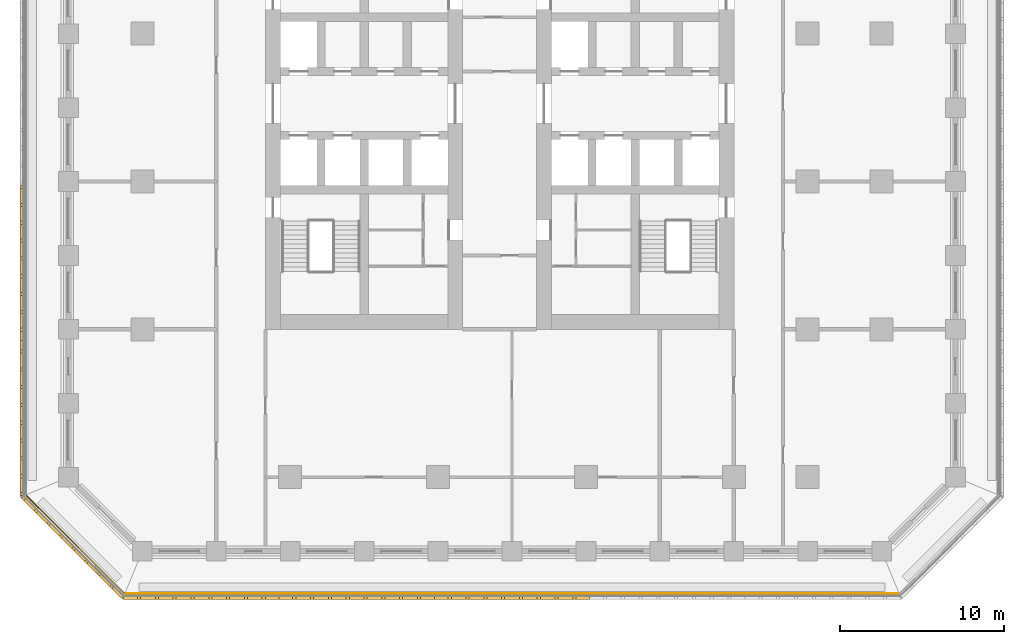
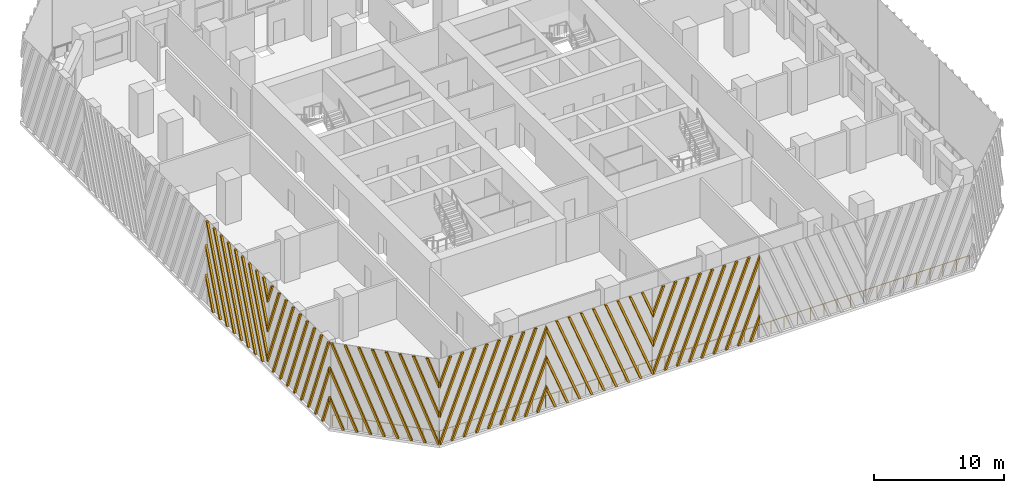
# One storey, part 10 of 19: 6 shading devices, 2 railings.
"""IFC4 building model written with IfcOpenShell, lengths in metres."""

from ifc_helpers import new_model, si_unit, direction, frame, origin, origin_2d, place, context, subcontext, project, spatial, polyline, circle, outline, extrude, source, transform, mapped, material, type_object, element, save


model = new_model("IFC4")

# Units and contexts
model_context = context("Model", 3, precision=1e-05, world=origin(), true_north=direction((0.0, 1.0)))
body_context = subcontext(model_context, "Body", "Model", "MODEL_VIEW")
ifc_project = project(units=[si_unit("LENGTHUNIT", "METRE"), si_unit("AREAUNIT", "SQUARE_METRE"), si_unit("VOLUMEUNIT", "CUBIC_METRE"), si_unit("PLANEANGLEUNIT", "RADIAN"), si_unit("MASSUNIT", "GRAM", prefix="KILO")], contexts=[model_context])

# Site, building, storey
site_placement = place(None, origin())
site = spatial("IfcSite", under=ifc_project, at=site_placement, CompositionType="ELEMENT")
building_placement = place(site_placement, origin())
building = spatial("IfcBuilding", under=site, at=building_placement, Name="Corbel Stack Research Tower", CompositionType="ELEMENT")
storey_placement = place(building_placement, frame((0.0, 0.0, 82.0)))
storey = spatial("IfcBuildingStorey", under=building, at=storey_placement, Name="L18", CompositionType="ELEMENT", Elevation=82.0)

# Railings
ifc_material_1 = material(Name="Powder-coated steel guard", Category="steel")
railing_type = type_object("IfcRailingType", Name="Steel and glass guard 1100", PredefinedType="GUARDRAIL", material=ifc_material_1)
railing_1_placement = place(storey_placement, frame((-19.00537109375, -25.10009765625, 0.0)))
element("IfcRailing", 1, at=railing_1_placement, inside=storey, type_object=railing_type, Name="Loggia guard L18 S", PredefinedType="GUARDRAIL", context=body_context, shape_type="SweptSolid", body=[
    extrude(circle(Radius=0.02392578125, at=origin_2d()), frame((0.0, 0.0, 1.076171875), z_axis=(1.0, 0.0, 0.0), x_axis=(0.0, 1.0, 0.0)), (0.0, 0.0, 1.0), 47.0107421875),
    extrude(circle(Radius=0.02099609375, at=origin_2d()), origin(), (0.0, 0.0, 1.0), 1.052001953125),
    extrude(circle(Radius=0.02099609375, at=origin_2d()), frame((1.17529296875, 0.0, 0.0)), (0.0, 0.0, 1.0), 1.052001953125),
    extrude(circle(Radius=0.02099609375, at=origin_2d()), frame((2.3505859375, 0.0, 0.0)), (0.0, 0.0, 1.0), 1.052001953125),
    extrude(circle(Radius=0.02099609375, at=origin_2d()), frame((3.52587890625, 0.0, 0.0)), (0.0, 0.0, 1.0), 1.052001953125),
    extrude(circle(Radius=0.02099609375, at=origin_2d()), frame((4.701171875, 0.0, 0.0)), (0.0, 0.0, 1.0), 1.052001953125),
    extrude(circle(Radius=0.02099609375, at=origin_2d()), frame((5.87646484375, 0.0, 0.0)), (0.0, 0.0, 1.0), 1.052001953125),
    extrude(circle(Radius=0.02099609375, at=origin_2d()), frame((7.051513671875, 0.0, 0.0)), (0.0, 0.0, 1.0), 1.052001953125),
    extrude(circle(Radius=0.02099609375, at=origin_2d()), frame((8.226806640625, 0.0, 0.0)), (0.0, 0.0, 1.0), 1.052001953125),
    extrude(circle(Radius=0.02099609375, at=origin_2d()), frame((9.402099609375, 0.0, 0.0)), (0.0, 0.0, 1.0), 1.052001953125),
    extrude(circle(Radius=0.02099609375, at=origin_2d()), frame((10.577392578125, 0.0, 0.0)), (0.0, 0.0, 1.0), 1.052001953125),
    extrude(circle(Radius=0.02099609375, at=origin_2d()), frame((11.752685546875, 0.0, 0.0)), (0.0, 0.0, 1.0), 1.052001953125),
    extrude(circle(Radius=0.02099609375, at=origin_2d()), frame((12.927978515625, 0.0, 0.0)), (0.0, 0.0, 1.0), 1.052001953125),
    extrude(circle(Radius=0.02099609375, at=origin_2d()), frame((14.103271484375, 0.0, 0.0)), (0.0, 0.0, 1.0), 1.052001953125),
    extrude(circle(Radius=0.02099609375, at=origin_2d()), frame((15.278564453125, 0.0, 0.0)), (0.0, 0.0, 1.0), 1.052001953125),
    extrude(circle(Radius=0.02099609375, at=origin_2d()), frame((16.453857421875, 0.0, 0.0)), (0.0, 0.0, 1.0), 1.052001953125),
    extrude(circle(Radius=0.02099609375, at=origin_2d()), frame((17.62890625, 0.0, 0.0)), (0.0, 0.0, 1.0), 1.052001953125),
    extrude(circle(Radius=0.02099609375, at=origin_2d()), frame((18.80419921875, 0.0, 0.0)), (0.0, 0.0, 1.0), 1.052001953125),
    extrude(circle(Radius=0.02099609375, at=origin_2d()), frame((19.9794921875, 0.0, 0.0)), (0.0, 0.0, 1.0), 1.052001953125),
    extrude(circle(Radius=0.02099609375, at=origin_2d()), frame((21.15478515625, 0.0, 0.0)), (0.0, 0.0, 1.0), 1.052001953125),
    extrude(circle(Radius=0.02099609375, at=origin_2d()), frame((22.330078125, 0.0, 0.0)), (0.0, 0.0, 1.0), 1.052001953125),
    extrude(circle(Radius=0.02099609375, at=origin_2d()), frame((23.50537109375, 0.0, 0.0)), (0.0, 0.0, 1.0), 1.052001953125),
    extrude(circle(Radius=0.02099609375, at=origin_2d()), frame((24.6806640625, 0.0, 0.0)), (0.0, 0.0, 1.0), 1.052001953125),
    extrude(circle(Radius=0.02099609375, at=origin_2d()), frame((25.85595703125, 0.0, 0.0)), (0.0, 0.0, 1.0), 1.052001953125),
    extrude(circle(Radius=0.02099609375, at=origin_2d()), frame((27.03125, 0.0, 0.0)), (0.0, 0.0, 1.0), 1.052001953125),
    extrude(circle(Radius=0.02099609375, at=origin_2d()), frame((28.20654296875, 0.0, 0.0)), (0.0, 0.0, 1.0), 1.052001953125),
    extrude(circle(Radius=0.02099609375, at=origin_2d()), frame((29.3818359375, 0.0, 0.0)), (0.0, 0.0, 1.0), 1.052001953125),
    extrude(circle(Radius=0.02099609375, at=origin_2d()), frame((30.556884765625, 0.0, 0.0)), (0.0, 0.0, 1.0), 1.052001953125),
    extrude(circle(Radius=0.02099609375, at=origin_2d()), frame((31.732177734375, 0.0, 0.0)), (0.0, 0.0, 1.0), 1.052001953125),
    extrude(circle(Radius=0.02099609375, at=origin_2d()), frame((32.907470703125, 0.0, 0.0)), (0.0, 0.0, 1.0), 1.052001953125),
    extrude(circle(Radius=0.02099609375, at=origin_2d()), frame((34.082763671875, 0.0, 0.0)), (0.0, 0.0, 1.0), 1.052001953125),
    extrude(circle(Radius=0.02099609375, at=origin_2d()), frame((35.258056640625, 0.0, 0.0)), (0.0, 0.0, 1.0), 1.052001953125),
    extrude(circle(Radius=0.02099609375, at=origin_2d()), frame((36.433349609375, 0.0, 0.0)), (0.0, 0.0, 1.0), 1.052001953125),
    extrude(circle(Radius=0.02099609375, at=origin_2d()), frame((37.608642578125, 0.0, 0.0)), (0.0, 0.0, 1.0), 1.052001953125),
    extrude(circle(Radius=0.02099609375, at=origin_2d()), frame((38.783935546875, 0.0, 0.0)), (0.0, 0.0, 1.0), 1.052001953125),
    extrude(circle(Radius=0.02099609375, at=origin_2d()), frame((39.959228515625, 0.0, 0.0)), (0.0, 0.0, 1.0), 1.052001953125),
    extrude(circle(Radius=0.02099609375, at=origin_2d()), frame((41.13427734375, 0.0, 0.0)), (0.0, 0.0, 1.0), 1.052001953125),
    extrude(circle(Radius=0.02099609375, at=origin_2d()), frame((42.3095703125, 0.0, 0.0)), (0.0, 0.0, 1.0), 1.052001953125),
    extrude(circle(Radius=0.02099609375, at=origin_2d()), frame((43.48486328125, 0.0, 0.0)), (0.0, 0.0, 1.0), 1.052001953125),
    extrude(circle(Radius=0.02099609375, at=origin_2d()), frame((44.66015625, 0.0, 0.0)), (0.0, 0.0, 1.0), 1.052001953125),
    extrude(circle(Radius=0.02099609375, at=origin_2d()), frame((45.83544921875, 0.0, 0.0)), (0.0, 0.0, 1.0), 1.052001953125),
    extrude(circle(Radius=0.02099609375, at=origin_2d()), frame((47.0107421875, 0.0, 0.0)), (0.0, 0.0, 1.0), 1.052001953125),
])
railing_2_placement = place(storey_placement, frame((-25.04931640625, -19.127685546875, 0.0)))
element("IfcRailing", 2, at=railing_2_placement, inside=storey, type_object=railing_type, Name="Loggia guard L18 SW", PredefinedType="GUARDRAIL", context=body_context, shape_type="SweptSolid", body=[
    extrude(circle(Radius=0.02392578125, at=origin_2d()), frame((0.0, 0.0, 1.076171875), z_axis=(0.707106781187, -0.707106781187, 0.0), x_axis=(0.707106781187, 0.707106781187, 0.0)), (0.0, 0.0, 1.0), 8.37451171875),
    extrude(circle(Radius=0.02099609375, at=origin_2d()), origin(), (0.0, 0.0, 1.0), 1.052001953125),
    extrude(circle(Radius=0.02099609375, at=origin_2d()), frame((0.845947265625, -0.845947265625, 0.0)), (0.0, 0.0, 1.0), 1.052001953125),
    extrude(circle(Radius=0.02099609375, at=origin_2d()), frame((1.69189453125, -1.69189453125, 0.0)), (0.0, 0.0, 1.0), 1.052001953125),
    extrude(circle(Radius=0.02099609375, at=origin_2d()), frame((2.537841796875, -2.537841796875, 0.0)), (0.0, 0.0, 1.0), 1.052001953125),
    extrude(circle(Radius=0.02099609375, at=origin_2d()), frame((3.3837890625, -3.3837890625, 0.0)), (0.0, 0.0, 1.0), 1.052001953125),
    extrude(circle(Radius=0.02099609375, at=origin_2d()), frame((4.229736328125, -4.229736328125, 0.0)), (0.0, 0.0, 1.0), 1.052001953125),
    extrude(circle(Radius=0.02099609375, at=origin_2d()), frame((5.07568359375, -5.07568359375, 0.0)), (0.0, 0.0, 1.0), 1.052001953125),
    extrude(circle(Radius=0.02099609375, at=origin_2d()), frame((5.921630859375, -5.921630859375, 0.0)), (0.0, 0.0, 1.0), 1.052001953125),
])

# Shading devices
ifc_material_2 = material(Name="Precast terracotta", Category="masonry")
shading_device_type = type_object("IfcShadingDeviceType", Name="Terracotta screen panel", PredefinedType="USERDEFINED", material=ifc_material_2)
shared_shape_1 = source(origin(), body_context, "Body", "SweptSolid", [
    extrude(outline(polyline([(1.030517578125, 7.949951171875), (0.840576171875, 7.949951171875), (0.0, 5.7978515625), (0.0, 5.311279296875), (1.030517578125, 7.949951171875)])), frame((0.0, 0.0, 0.0), z_axis=(0.0, -1.0, 0.0), x_axis=(1.0, 0.0, 0.0)), (0.0, 0.0, 1.0), 0.179931640625),
    extrude(outline(polyline([(2.115234375, 7.949951171875), (1.92529296875, 7.949951171875), (0.0, 3.0205078125), (0.0, 2.533935546875), (2.115234375, 7.949951171875)])), frame((0.0, 0.0, 0.0), z_axis=(0.0, -1.0, 0.0), x_axis=(1.0, 0.0, 0.0)), (0.0, 0.0, 1.0), 0.179931640625),
    extrude(outline(polyline([(0.094970703125, 0.0), (3.199951171875, 7.949951171875), (3.010009765625, 7.949951171875), (0.0, 0.2431640625), (0.0, 0.0), (0.094970703125, 0.0)])), frame((0.0, 0.0, 0.0), z_axis=(0.0, -1.0, 0.0), x_axis=(1.0, 0.0, 0.0)), (0.0, 0.0, 1.0), 0.179931640625),
    extrude(outline(polyline([(1.1796875, 0.0), (4.284423828125, 7.949951171875), (4.094482421875, 7.949951171875), (0.98974609375, 0.0), (1.1796875, 0.0)])), frame((0.0, 0.0, 0.0), z_axis=(0.0, -1.0, 0.0), x_axis=(1.0, 0.0, 0.0)), (0.0, 0.0, 1.0), 0.179931640625),
    extrude(outline(polyline([(2.264404296875, 0.0), (5.369140625, 7.949951171875), (5.17919921875, 7.949951171875), (2.07421875, 0.0), (2.264404296875, 0.0)])), frame((0.0, 0.0, 0.0), z_axis=(0.0, -1.0, 0.0), x_axis=(1.0, 0.0, 0.0)), (0.0, 0.0, 1.0), 0.179931640625),
    extrude(outline(polyline([(3.34912109375, 0.0), (6.453857421875, 7.949951171875), (6.263916015625, 7.949951171875), (3.158935546875, 0.0), (3.34912109375, 0.0)])), frame((0.0, 0.0, 0.0), z_axis=(0.0, -1.0, 0.0), x_axis=(1.0, 0.0, 0.0)), (0.0, 0.0, 1.0), 0.179931640625),
    extrude(outline(polyline([(4.43359375, 0.0), (7.53857421875, 7.949951171875), (7.348388671875, 7.949951171875), (4.24365234375, 0.0), (4.43359375, 0.0)])), frame((0.0, 0.0, 0.0), z_axis=(0.0, -1.0, 0.0), x_axis=(1.0, 0.0, 0.0)), (0.0, 0.0, 1.0), 0.179931640625),
    extrude(outline(polyline([(5.518310546875, 0.0), (8.623291015625, 7.949951171875), (8.43310546875, 7.949951171875), (5.328369140625, 0.0), (5.518310546875, 0.0)])), frame((0.0, 0.0, 0.0), z_axis=(0.0, -1.0, 0.0), x_axis=(1.0, 0.0, 0.0)), (0.0, 0.0, 1.0), 0.179931640625),
    extrude(outline(polyline([(6.60302734375, 0.0), (9.45556640625, 7.30419921875), (9.45556640625, 7.790771484375), (6.4130859375, 0.0), (6.60302734375, 0.0)])), frame((0.0, 0.0, 0.0), z_axis=(0.0, -1.0, 0.0), x_axis=(1.0, 0.0, 0.0)), (0.0, 0.0, 1.0), 0.179931640625),
    extrude(outline(polyline([(7.687744140625, 0.0), (9.45556640625, 4.52685546875), (9.45556640625, 5.013427734375), (7.497802734375, 0.0), (7.687744140625, 0.0)])), frame((0.0, 0.0, 0.0), z_axis=(0.0, -1.0, 0.0), x_axis=(1.0, 0.0, 0.0)), (0.0, 0.0, 1.0), 0.179931640625),
    extrude(outline(polyline([(8.772216796875, 0.0), (9.45556640625, 1.74951171875), (9.45556640625, 2.236083984375), (8.582275390625, 0.0), (8.772216796875, 0.0)])), frame((0.0, 0.0, 0.0), z_axis=(0.0, -1.0, 0.0), x_axis=(1.0, 0.0, 0.0)), (0.0, 0.0, 1.0), 0.179931640625),
])
for number, where, z_axis, x_axis, name in (
    (3, (-19.13916015625, -25.25, 0.0), (0.0, 0.0, 1.0), (1.0, 0.0, 0.0), "Terracotta screen L18 S1"),
    (4, (-0.227783203125, -25.25, 0.0), (0.0, 0.0, 1.0), (1.0, 0.0, 0.0), "Terracotta screen L18 S3"),
):
    element("IfcShadingDevice", number, at=place(storey_placement, frame(where, z_axis=z_axis, x_axis=x_axis)), inside=storey, type_object=shading_device_type, Name=name, ObjectType="SCREEN", PredefinedType="USERDEFINED", context=body_context, shape_type="MappedRepresentation", body=[
        mapped(shared_shape_1, transform((0.0, 0.0, 0.0))),
    ])
shared_shape_2 = source(origin(), body_context, "Body", "SweptSolid", [
    extrude(outline(polyline([(0.873291015625, 0.0), (0.0, 2.236083984375), (0.0, 1.74951171875), (0.683349609375, 0.0), (0.873291015625, 0.0)])), frame((0.0, 0.0, 0.0), z_axis=(0.0, -1.0, 0.0), x_axis=(1.0, 0.0, 0.0)), (0.0, 0.0, 1.0), 0.179931640625),
    extrude(outline(polyline([(1.9580078125, 0.0), (0.0, 5.013427734375), (0.0, 4.52685546875), (1.76806640625, 0.0), (1.9580078125, 0.0)])), frame((0.0, 0.0, 0.0), z_axis=(0.0, -1.0, 0.0), x_axis=(1.0, 0.0, 0.0)), (0.0, 0.0, 1.0), 0.179931640625),
    extrude(outline(polyline([(3.04248046875, 0.0), (0.0, 7.790771484375), (0.0, 7.30419921875), (2.8525390625, 0.0), (3.04248046875, 0.0)])), frame((0.0, 0.0, 0.0), z_axis=(0.0, -1.0, 0.0), x_axis=(1.0, 0.0, 0.0)), (0.0, 0.0, 1.0), 0.179931640625),
    extrude(outline(polyline([(4.127197265625, 0.0), (1.0224609375, 7.949951171875), (0.83251953125, 7.949951171875), (3.937255859375, 0.0), (4.127197265625, 0.0)])), frame((0.0, 0.0, 0.0), z_axis=(0.0, -1.0, 0.0), x_axis=(1.0, 0.0, 0.0)), (0.0, 0.0, 1.0), 0.179931640625),
    extrude(outline(polyline([(5.2119140625, 0.0), (2.107177734375, 7.949951171875), (1.9169921875, 7.949951171875), (5.02197265625, 0.0), (5.2119140625, 0.0)])), frame((0.0, 0.0, 0.0), z_axis=(0.0, -1.0, 0.0), x_axis=(1.0, 0.0, 0.0)), (0.0, 0.0, 1.0), 0.179931640625),
    extrude(outline(polyline([(6.296630859375, 0.0), (3.19189453125, 7.949951171875), (3.001708984375, 7.949951171875), (6.106689453125, 0.0), (6.296630859375, 0.0)])), frame((0.0, 0.0, 0.0), z_axis=(0.0, -1.0, 0.0), x_axis=(1.0, 0.0, 0.0)), (0.0, 0.0, 1.0), 0.179931640625),
    extrude(outline(polyline([(7.38134765625, 0.0), (4.276611328125, 7.949951171875), (4.08642578125, 7.949951171875), (7.19140625, 0.0), (7.38134765625, 0.0)])), frame((0.0, 0.0, 0.0), z_axis=(0.0, -1.0, 0.0), x_axis=(1.0, 0.0, 0.0)), (0.0, 0.0, 1.0), 0.179931640625),
    extrude(outline(polyline([(8.466064453125, 0.0), (5.361083984375, 7.949951171875), (5.171142578125, 7.949951171875), (8.27587890625, 0.0), (8.466064453125, 0.0)])), frame((0.0, 0.0, 0.0), z_axis=(0.0, -1.0, 0.0), x_axis=(1.0, 0.0, 0.0)), (0.0, 0.0, 1.0), 0.179931640625),
    extrude(outline(polyline([(9.45556640625, 0.0), (9.45556640625, 0.2431640625), (6.44580078125, 7.949951171875), (6.255859375, 7.949951171875), (9.360595703125, 0.0), (9.45556640625, 0.0)])), frame((0.0, 0.0, 0.0), z_axis=(0.0, -1.0, 0.0), x_axis=(1.0, 0.0, 0.0)), (0.0, 0.0, 1.0), 0.179931640625),
    extrude(outline(polyline([(7.530517578125, 7.949951171875), (7.34033203125, 7.949951171875), (9.45556640625, 2.533935546875), (9.45556640625, 3.0205078125), (7.530517578125, 7.949951171875)])), frame((0.0, 0.0, 0.0), z_axis=(0.0, -1.0, 0.0), x_axis=(1.0, 0.0, 0.0)), (0.0, 0.0, 1.0), 0.179931640625),
    extrude(outline(polyline([(8.614990234375, 7.949951171875), (8.425048828125, 7.949951171875), (9.45556640625, 5.311279296875), (9.45556640625, 5.7978515625), (8.614990234375, 7.949951171875)])), frame((0.0, 0.0, 0.0), z_axis=(0.0, -1.0, 0.0), x_axis=(1.0, 0.0, 0.0)), (0.0, 0.0, 1.0), 0.179931640625),
])
shading_device_1_placement = place(storey_placement, frame((-9.68359375, -25.25, 0.0), z_axis=(0.0, 0.0, 1.0), x_axis=(1.0, 0.0, 0.0)))
element("IfcShadingDevice", 5, at=shading_device_1_placement, inside=storey, type_object=shading_device_type, Name="Terracotta screen L18 S2", ObjectType="SCREEN", PredefinedType="USERDEFINED", context=body_context, shape_type="MappedRepresentation", body=[
    mapped(shared_shape_2, transform((0.0, 0.0, 0.0))),
])
shared_shape_3 = source(origin(), body_context, "Body", "SweptSolid", [
    extrude(outline(polyline([(0.759521484375, 7.949951171875), (0.5693359375, 7.949951171875), (0.0, 6.4921875), (0.0, 6.005615234375), (0.759521484375, 7.949951171875)])), frame((0.0, 0.0, 0.0), z_axis=(0.0, -1.0, 0.0), x_axis=(1.0, 0.0, 0.0)), (0.0, 0.0, 1.0), 0.179931640625),
    extrude(outline(polyline([(1.843994140625, 7.949951171875), (1.654052734375, 7.949951171875), (0.0, 3.71484375), (0.0, 3.228515625), (1.843994140625, 7.949951171875)])), frame((0.0, 0.0, 0.0), z_axis=(0.0, -1.0, 0.0), x_axis=(1.0, 0.0, 0.0)), (0.0, 0.0, 1.0), 0.179931640625),
    extrude(outline(polyline([(2.9287109375, 7.949951171875), (2.73876953125, 7.949951171875), (0.0, 0.9375), (0.0, 0.451171875), (2.9287109375, 7.949951171875)])), frame((0.0, 0.0, 0.0), z_axis=(0.0, -1.0, 0.0), x_axis=(1.0, 0.0, 0.0)), (0.0, 0.0, 1.0), 0.179931640625),
    extrude(outline(polyline([(0.908447265625, 0.0), (4.013427734375, 7.949951171875), (3.823486328125, 7.949951171875), (0.718505859375, 0.0), (0.908447265625, 0.0)])), frame((0.0, 0.0, 0.0), z_axis=(0.0, -1.0, 0.0), x_axis=(1.0, 0.0, 0.0)), (0.0, 0.0, 1.0), 0.179931640625),
    extrude(outline(polyline([(1.9931640625, 0.0), (5.097900390625, 7.949951171875), (4.907958984375, 7.949951171875), (1.80322265625, 0.0), (1.9931640625, 0.0)])), frame((0.0, 0.0, 0.0), z_axis=(0.0, -1.0, 0.0), x_axis=(1.0, 0.0, 0.0)), (0.0, 0.0, 1.0), 0.179931640625),
    extrude(outline(polyline([(3.077880859375, 0.0), (6.1826171875, 7.949951171875), (5.99267578125, 7.949951171875), (2.8876953125, 0.0), (3.077880859375, 0.0)])), frame((0.0, 0.0, 0.0), z_axis=(0.0, -1.0, 0.0), x_axis=(1.0, 0.0, 0.0)), (0.0, 0.0, 1.0), 0.179931640625),
    extrude(outline(polyline([(4.16259765625, 0.0), (7.267333984375, 7.949951171875), (7.077392578125, 7.949951171875), (3.972412109375, 0.0), (4.16259765625, 0.0)])), frame((0.0, 0.0, 0.0), z_axis=(0.0, -1.0, 0.0), x_axis=(1.0, 0.0, 0.0)), (0.0, 0.0, 1.0), 0.179931640625),
    extrude(outline(polyline([(5.247314453125, 0.0), (8.35205078125, 7.949951171875), (8.162109375, 7.949951171875), (5.05712890625, 0.0), (5.247314453125, 0.0)])), frame((0.0, 0.0, 0.0), z_axis=(0.0, -1.0, 0.0), x_axis=(1.0, 0.0, 0.0)), (0.0, 0.0, 1.0), 0.179931640625),
    extrude(outline(polyline([(6.331787109375, 0.0), (9.436767578125, 7.949951171875), (9.24658203125, 7.949951171875), (6.141845703125, 0.0), (6.331787109375, 0.0)])), frame((0.0, 0.0, 0.0), z_axis=(0.0, -1.0, 0.0), x_axis=(1.0, 0.0, 0.0)), (0.0, 0.0, 1.0), 0.179931640625),
    extrude(outline(polyline([(7.41650390625, 0.0), (9.45556640625, 5.22119140625), (9.45556640625, 5.707763671875), (7.2265625, 0.0), (7.41650390625, 0.0)])), frame((0.0, 0.0, 0.0), z_axis=(0.0, -1.0, 0.0), x_axis=(1.0, 0.0, 0.0)), (0.0, 0.0, 1.0), 0.179931640625),
    extrude(outline(polyline([(8.501220703125, 0.0), (9.45556640625, 2.44384765625), (9.45556640625, 2.930419921875), (8.311279296875, 0.0), (8.501220703125, 0.0)])), frame((0.0, 0.0, 0.0), z_axis=(0.0, -1.0, 0.0), x_axis=(1.0, 0.0, 0.0)), (0.0, 0.0, 1.0), 0.179931640625),
])
shading_device_2_placement = place(storey_placement, frame((-25.25, -9.68359375, 0.0), z_axis=(0.0, 0.0, 1.0), x_axis=(0.0, -1.0, 0.0)))
element("IfcShadingDevice", 6, at=shading_device_2_placement, inside=storey, type_object=shading_device_type, Name="Terracotta screen L18 W5", ObjectType="SCREEN", PredefinedType="USERDEFINED", context=body_context, shape_type="MappedRepresentation", body=[
    mapped(shared_shape_3, transform((0.0, 0.0, 0.0))),
])
shared_shape_4 = source(origin(), body_context, "Body", "SweptSolid", [
    extrude(outline(polyline([(1.14453125, 0.0), (0.0, 2.930419921875), (0.0, 2.44384765625), (0.95458984375, 0.0), (1.14453125, 0.0)])), frame((0.0, 0.0, 0.0), z_axis=(0.0, -1.0, 0.0), x_axis=(1.0, 0.0, 0.0)), (0.0, 0.0, 1.0), 0.179931640625),
    extrude(outline(polyline([(2.22900390625, 0.0), (0.0, 5.707763671875), (0.0, 5.22119140625), (2.0390625, 0.0), (2.22900390625, 0.0)])), frame((0.0, 0.0, 0.0), z_axis=(0.0, -1.0, 0.0), x_axis=(1.0, 0.0, 0.0)), (0.0, 0.0, 1.0), 0.179931640625),
    extrude(outline(polyline([(3.313720703125, 0.0), (0.208984375, 7.949951171875), (0.01904296875, 7.949951171875), (3.123779296875, 0.0), (3.313720703125, 0.0)])), frame((0.0, 0.0, 0.0), z_axis=(0.0, -1.0, 0.0), x_axis=(1.0, 0.0, 0.0)), (0.0, 0.0, 1.0), 0.179931640625),
    extrude(outline(polyline([(4.3984375, 0.0), (1.293701171875, 7.949951171875), (1.103515625, 7.949951171875), (4.20849609375, 0.0), (4.3984375, 0.0)])), frame((0.0, 0.0, 0.0), z_axis=(0.0, -1.0, 0.0), x_axis=(1.0, 0.0, 0.0)), (0.0, 0.0, 1.0), 0.179931640625),
    extrude(outline(polyline([(5.483154296875, 0.0), (2.37841796875, 7.949951171875), (2.188232421875, 7.949951171875), (5.293212890625, 0.0), (5.483154296875, 0.0)])), frame((0.0, 0.0, 0.0), z_axis=(0.0, -1.0, 0.0), x_axis=(1.0, 0.0, 0.0)), (0.0, 0.0, 1.0), 0.179931640625),
    extrude(outline(polyline([(6.56787109375, 0.0), (3.462890625, 7.949951171875), (3.27294921875, 7.949951171875), (6.377685546875, 0.0), (6.56787109375, 0.0)])), frame((0.0, 0.0, 0.0), z_axis=(0.0, -1.0, 0.0), x_axis=(1.0, 0.0, 0.0)), (0.0, 0.0, 1.0), 0.179931640625),
    extrude(outline(polyline([(7.652587890625, 0.0), (4.547607421875, 7.949951171875), (4.357666015625, 7.949951171875), (7.46240234375, 0.0), (7.652587890625, 0.0)])), frame((0.0, 0.0, 0.0), z_axis=(0.0, -1.0, 0.0), x_axis=(1.0, 0.0, 0.0)), (0.0, 0.0, 1.0), 0.179931640625),
    extrude(outline(polyline([(8.737060546875, 0.0), (5.63232421875, 7.949951171875), (5.4423828125, 7.949951171875), (8.547119140625, 0.0), (8.737060546875, 0.0)])), frame((0.0, 0.0, 0.0), z_axis=(0.0, -1.0, 0.0), x_axis=(1.0, 0.0, 0.0)), (0.0, 0.0, 1.0), 0.179931640625),
    extrude(outline(polyline([(6.716796875, 7.949951171875), (6.52685546875, 7.949951171875), (9.45556640625, 0.451171875), (9.45556640625, 0.9375), (6.716796875, 7.949951171875)])), frame((0.0, 0.0, 0.0), z_axis=(0.0, -1.0, 0.0), x_axis=(1.0, 0.0, 0.0)), (0.0, 0.0, 1.0), 0.179931640625),
    extrude(outline(polyline([(7.801513671875, 7.949951171875), (7.611572265625, 7.949951171875), (9.45556640625, 3.228515625), (9.45556640625, 3.71484375), (7.801513671875, 7.949951171875)])), frame((0.0, 0.0, 0.0), z_axis=(0.0, -1.0, 0.0), x_axis=(1.0, 0.0, 0.0)), (0.0, 0.0, 1.0), 0.179931640625),
    extrude(outline(polyline([(8.88623046875, 7.949951171875), (8.6962890625, 7.949951171875), (9.45556640625, 6.005615234375), (9.45556640625, 6.4921875), (8.88623046875, 7.949951171875)])), frame((0.0, 0.0, 0.0), z_axis=(0.0, -1.0, 0.0), x_axis=(1.0, 0.0, 0.0)), (0.0, 0.0, 1.0), 0.179931640625),
])
shading_device_3_placement = place(storey_placement, frame((-25.25, -0.227783203125, 0.0), z_axis=(0.0, 0.0, 1.0), x_axis=(0.0, -1.0, 0.0)))
element("IfcShadingDevice", 7, at=shading_device_3_placement, inside=storey, type_object=shading_device_type, Name="Terracotta screen L18 W4", ObjectType="SCREEN", PredefinedType="USERDEFINED", context=body_context, shape_type="MappedRepresentation", body=[
    mapped(shared_shape_4, transform((0.0, 0.0, 0.0))),
])
shared_shape_5 = source(origin(), body_context, "Body", "SweptSolid", [
    extrude(outline(polyline([(1.14453125, 0.0), (0.0, 2.930419921875), (0.0, 2.44384765625), (0.95458984375, 0.0), (1.14453125, 0.0)])), frame((0.0, 0.0, 0.0), z_axis=(0.0, -1.0, 0.0), x_axis=(1.0, 0.0, 0.0)), (0.0, 0.0, 1.0), 0.179931640625),
    extrude(outline(polyline([(2.22900390625, 0.0), (0.0, 5.707763671875), (0.0, 5.22119140625), (2.0390625, 0.0), (2.22900390625, 0.0)])), frame((0.0, 0.0, 0.0), z_axis=(0.0, -1.0, 0.0), x_axis=(1.0, 0.0, 0.0)), (0.0, 0.0, 1.0), 0.179931640625),
    extrude(outline(polyline([(3.313720703125, 0.0), (0.208984375, 7.949951171875), (0.01904296875, 7.949951171875), (3.123779296875, 0.0), (3.313720703125, 0.0)])), frame((0.0, 0.0, 0.0), z_axis=(0.0, -1.0, 0.0), x_axis=(1.0, 0.0, 0.0)), (0.0, 0.0, 1.0), 0.179931640625),
    extrude(outline(polyline([(4.3984375, 0.0), (1.293701171875, 7.949951171875), (1.103515625, 7.949951171875), (4.20849609375, 0.0), (4.3984375, 0.0)])), frame((0.0, 0.0, 0.0), z_axis=(0.0, -1.0, 0.0), x_axis=(1.0, 0.0, 0.0)), (0.0, 0.0, 1.0), 0.179931640625),
    extrude(outline(polyline([(5.483154296875, 0.0), (2.37841796875, 7.949951171875), (2.188232421875, 7.949951171875), (5.293212890625, 0.0), (5.483154296875, 0.0)])), frame((0.0, 0.0, 0.0), z_axis=(0.0, -1.0, 0.0), x_axis=(1.0, 0.0, 0.0)), (0.0, 0.0, 1.0), 0.179931640625),
    extrude(outline(polyline([(6.56787109375, 0.0), (3.462890625, 7.949951171875), (3.27294921875, 7.949951171875), (6.377685546875, 0.0), (6.56787109375, 0.0)])), frame((0.0, 0.0, 0.0), z_axis=(0.0, -1.0, 0.0), x_axis=(1.0, 0.0, 0.0)), (0.0, 0.0, 1.0), 0.179931640625),
    extrude(outline(polyline([(7.652587890625, 0.0), (4.547607421875, 7.949951171875), (4.357666015625, 7.949951171875), (7.46240234375, 0.0), (7.652587890625, 0.0)])), frame((0.0, 0.0, 0.0), z_axis=(0.0, -1.0, 0.0), x_axis=(1.0, 0.0, 0.0)), (0.0, 0.0, 1.0), 0.179931640625),
    extrude(outline(polyline([(8.64208984375, 0.0), (8.64208984375, 0.2431640625), (5.63232421875, 7.949951171875), (5.4423828125, 7.949951171875), (8.547119140625, 0.0), (8.64208984375, 0.0)])), frame((0.0, 0.0, 0.0), z_axis=(0.0, -1.0, 0.0), x_axis=(1.0, 0.0, 0.0)), (0.0, 0.0, 1.0), 0.179931640625),
    extrude(outline(polyline([(6.716796875, 7.949951171875), (6.52685546875, 7.949951171875), (8.64208984375, 2.533935546875), (8.64208984375, 3.0205078125), (6.716796875, 7.949951171875)])), frame((0.0, 0.0, 0.0), z_axis=(0.0, -1.0, 0.0), x_axis=(1.0, 0.0, 0.0)), (0.0, 0.0, 1.0), 0.179931640625),
    extrude(outline(polyline([(7.801513671875, 7.949951171875), (7.611572265625, 7.949951171875), (8.64208984375, 5.311279296875), (8.64208984375, 5.7978515625), (7.801513671875, 7.949951171875)])), frame((0.0, 0.0, 0.0), z_axis=(0.0, -1.0, 0.0), x_axis=(1.0, 0.0, 0.0)), (0.0, 0.0, 1.0), 0.179931640625),
])
shading_device_4_placement = place(storey_placement, frame((-25.25, -19.13916015625, 0.0), z_axis=(0.0, 0.0, 1.0), x_axis=(0.707106781187, -0.707106781187, 0.0)))
element("IfcShadingDevice", 8, at=shading_device_4_placement, inside=storey, type_object=shading_device_type, Name="Terracotta screen L18 SW1", ObjectType="SCREEN", PredefinedType="USERDEFINED", context=body_context, shape_type="MappedRepresentation", body=[
    mapped(shared_shape_5, transform((0.0, 0.0, 0.0))),
])

save(model, "model.ifc")
